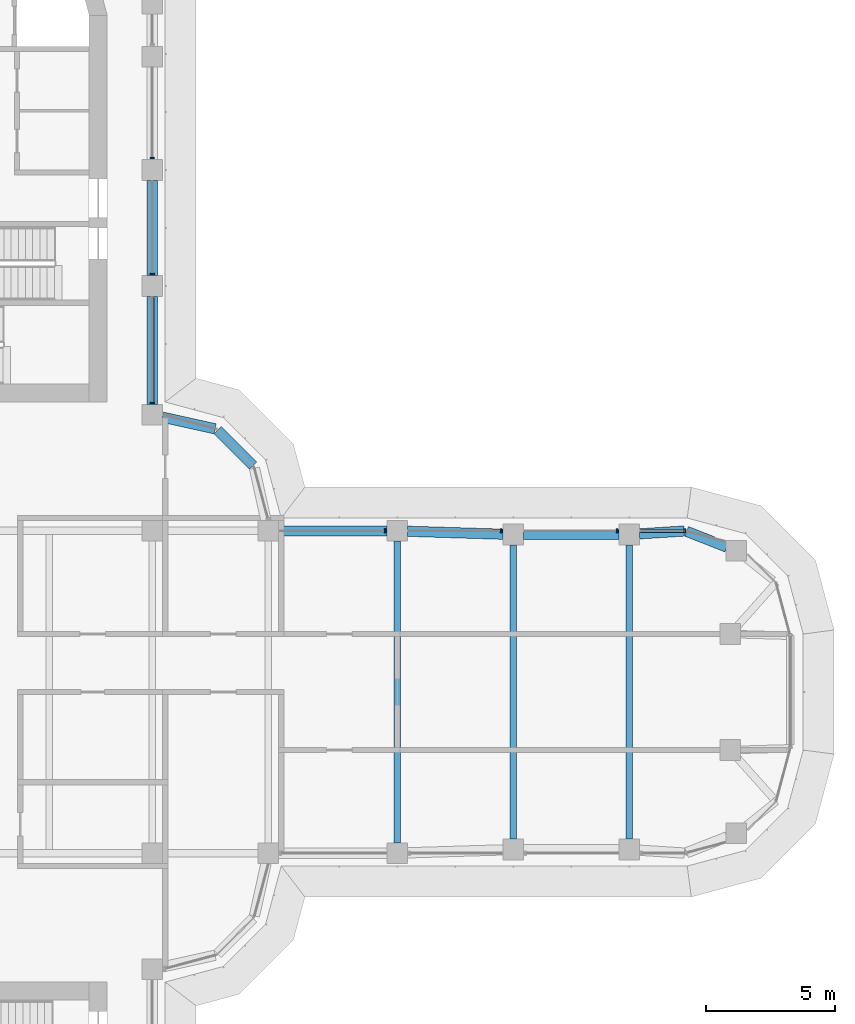
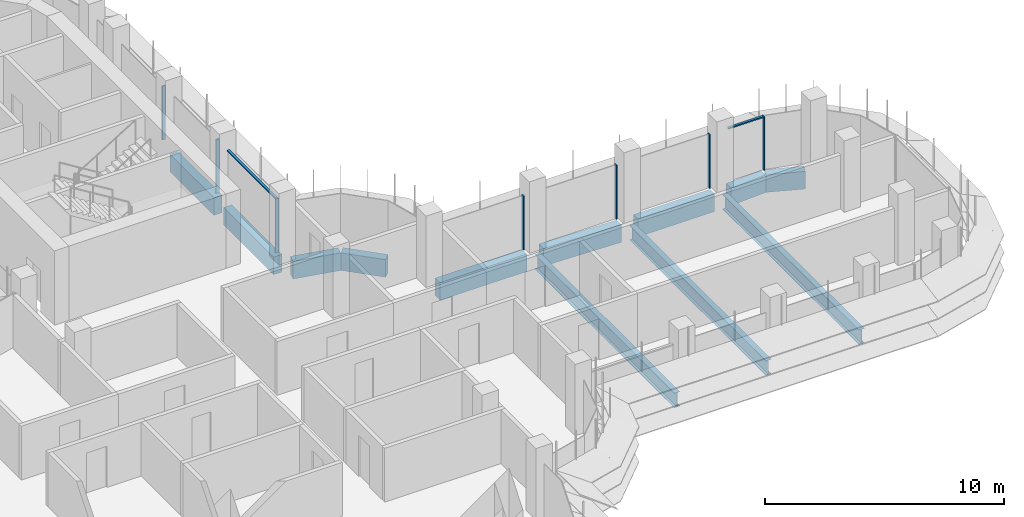
# One storey, part 8 of 19: 12 beams, 9 members, 2 elements without a shape of their own.
"""IFC4 building model written with IfcOpenShell, lengths in metres."""

from ifc_helpers import new_model, si_unit, direction, frame, origin, origin_2d, place, context, subcontext, project, spatial, polyline, rectangle, i_section, outline, extrude, source, transform, mapped, material, material_profile, profile_set, type_object, element, aggregate, save


model = new_model("IFC4")

# Units and contexts
model_context = context("Model", 3, precision=1e-05, world=origin(), true_north=direction((0.0, 1.0)))
body_context = subcontext(model_context, "Body", "Model", "MODEL_VIEW")
ifc_project = project(units=[si_unit("LENGTHUNIT", "METRE"), si_unit("AREAUNIT", "SQUARE_METRE"), si_unit("VOLUMEUNIT", "CUBIC_METRE"), si_unit("PLANEANGLEUNIT", "RADIAN"), si_unit("MASSUNIT", "GRAM", prefix="KILO")], contexts=[model_context])

# Site, building, storey
site_placement = place(None, origin())
site = spatial("IfcSite", under=ifc_project, at=site_placement, CompositionType="ELEMENT")
building_placement = place(site_placement, origin())
building = spatial("IfcBuilding", under=site, at=building_placement, Name="Zarbagh Exchange Tower", CompositionType="ELEMENT")
storey_placement = place(building_placement, frame((0.0, 0.0, 179.0)))
storey = spatial("IfcBuildingStorey", under=building, at=storey_placement, Name="L43", CompositionType="ELEMENT", Elevation=179.0)

# Beams
ifc_material_1 = material(Name="Steel ASTM A992 Gr 50", Category="steel")
ifc_material_profile_1 = material_profile(ifc_material_1, i_section(OverallWidth=0.26416015625, OverallDepth=0.749267578125, WebThickness=0.011962890625, FlangeThickness=0.015380859375, at=origin_2d()), Name="W30X90")
ifc_profile_set_1 = profile_set([ifc_material_profile_1], Name="Steel ASTM A992 Gr 50")
beam_type_1 = type_object("IfcBeamType", Name="Floor beam W30X90", PredefinedType="BEAM", material=ifc_profile_set_1)
beam_1_placement = place(storey_placement, frame((15.75, -5.85009765625, -0.524658203125), z_axis=(0.0, 1.0, 0.0), x_axis=(-1.0, 0.0, 0.0)))
element("IfcBeam", 1, at=beam_1_placement, inside=storey, type_object=beam_type_1, Name="Steel floor beam", PredefinedType="BEAM", context=body_context, shape_type="SweptSolid", body=[
    extrude(i_section(OverallWidth=0.26416015625, OverallDepth=0.749267578125, WebThickness=0.011962890625, FlangeThickness=0.015380859375, at=origin_2d()), origin(), (0.0, 0.0, 1.0), 11.7001953125),
])
for number, where, z_axis, x_axis, name in (
    (2, (20.25, -5.7099609375, -0.524658203125), (0.0, 1.0, 0.0), (-1.0, 0.0, 0.0), "Steel floor beam"),
    (3, (24.75, -5.7099609375, -0.524658203125), (0.0, 1.0, 0.0), (-1.0, 0.0, 0.0), "Steel floor beam"),
):
    element("IfcBeam", number, at=place(storey_placement, frame(where, z_axis=z_axis, x_axis=x_axis)), inside=storey, type_object=beam_type_1, Name=name, PredefinedType="BEAM", context=body_context, shape_type="SweptSolid", body=[
        extrude(i_section(OverallWidth=0.26416015625, OverallDepth=0.749267578125, WebThickness=0.011962890625, FlangeThickness=0.015380859375, at=origin_2d()), origin(), (0.0, 0.0, 1.0), 11.419921875),
    ])
ifc_material_2 = material(Name="Concrete C50/60", Category="concrete")
ifc_material_profile_2 = material_profile(ifc_material_2, rectangle(XDim=0.39990234375, YDim=0.89990234375, at=origin_2d()), Name="RC spandrel beam 400 x 900 C50/60")
ifc_profile_set_2 = profile_set([ifc_material_profile_2], Name="Concrete C50/60")
beam_type_2 = type_object("IfcBeamType", Name="RC spandrel beam 400 x 900 C50/60", PredefinedType="SPANDREL", material=ifc_profile_set_2)
beam_2_placement = place(storey_placement, frame((6.25, 19.85009765625, -0.60009765625), z_axis=(0.0, -1.0, 0.0), x_axis=(1.0, 0.0, 0.0)))
element("IfcBeam", 4, at=beam_2_placement, inside=storey, type_object=beam_type_2, Name="RC spandrel beam", PredefinedType="SPANDREL", context=body_context, shape_type="SweptSolid", body=[
    extrude(rectangle(XDim=0.39990234375, YDim=0.89990234375, at=origin_2d()), origin(), (0.0, 0.0, 1.0), 3.7001953125),
])
beam_3_placement = place(storey_placement, frame((6.25, 15.35009765625, -0.60009765625), z_axis=(0.0, -1.0, 0.0), x_axis=(1.0, 0.0, 0.0)))
element("IfcBeam", 5, at=beam_3_placement, inside=storey, type_object=beam_type_2, Name="RC spandrel beam", PredefinedType="SPANDREL", context=body_context, shape_type="SweptSolid", body=[
    extrude(rectangle(XDim=0.39990234375, YDim=0.89990234375, at=origin_2d()), origin(), (0.0, 0.0, 1.0), 4.2001953125),
])
beam_4_placement = place(storey_placement, frame((6.640625, 10.66357421875, -0.60009765625), z_axis=(0.976384278741, -0.216041061437, 0.0), x_axis=(0.216041061437, 0.976384278741, 0.0)))
element("IfcBeam", 6, at=beam_4_placement, inside=storey, type_object=beam_type_2, Name="RC spandrel beam", PredefinedType="SPANDREL", context=body_context, shape_type="SweptSolid", body=[
    extrude(rectangle(XDim=0.39990234375, YDim=0.89990234375, at=origin_2d()), origin(), (0.0, 0.0, 1.0), 2.0927734375),
])
beam_5_placement = place(storey_placement, frame((8.782470703125, 10.15771484375, -0.60009765625), z_axis=(0.707106781187, -0.707106781187, 0.0), x_axis=(0.707106781187, 0.707106781187, 0.0)))
element("IfcBeam", 7, at=beam_5_placement, inside=storey, type_object=beam_type_2, Name="RC spandrel beam", PredefinedType="SPANDREL", context=body_context, shape_type="SweptSolid", body=[
    extrude(rectangle(XDim=0.39990234375, YDim=0.89990234375, at=origin_2d()), origin(), (0.0, 0.0, 1.0), 1.94482421875),
])
beam_6_placement = place(storey_placement, frame((11.14990234375, 6.25, -0.60009765625), z_axis=(1.0, 0.0, 0.0), x_axis=(0.0, 1.0, 0.0)))
element("IfcBeam", 8, at=beam_6_placement, inside=storey, type_object=beam_type_2, Name="RC spandrel beam", PredefinedType="SPANDREL", context=body_context, shape_type="SweptSolid", body=[
    extrude(rectangle(XDim=0.39990234375, YDim=0.89990234375, at=origin_2d()), origin(), (0.0, 0.0, 1.0), 4.2001953125),
])
beam_7_placement = place(storey_placement, frame((16.14990234375, 6.237548828125, -0.60009765625), z_axis=(0.999515416033, -0.031127690444, 0.0), x_axis=(0.031127690444, 0.999515416033, 0.0)))
element("IfcBeam", 9, at=beam_7_placement, inside=storey, type_object=beam_type_2, Name="RC spandrel beam", PredefinedType="SPANDREL", context=body_context, shape_type="SweptSolid", body=[
    extrude(rectangle(XDim=0.39990234375, YDim=0.89990234375, at=origin_2d()), origin(), (0.0, 0.0, 1.0), 3.701904296875),
])
beam_8_placement = place(storey_placement, frame((20.64990234375, 6.110107421875, -0.60009765625), z_axis=(1.0, 0.0, 0.0), x_axis=(0.0, 1.0, 0.0)))
element("IfcBeam", 10, at=beam_8_placement, inside=storey, type_object=beam_type_2, Name="RC spandrel beam", PredefinedType="SPANDREL", context=body_context, shape_type="SweptSolid", body=[
    extrude(rectangle(XDim=0.39990234375, YDim=0.89990234375, at=origin_2d()), origin(), (0.0, 0.0, 1.0), 3.7001953125),
])
beam_9_placement = place(storey_placement, frame((25.149169921875, 6.135498046875, -0.60009765625), z_axis=(0.997942679773, 0.064112462805, 0.0), x_axis=(-0.064112462805, 0.997942679773, 0.0)))
element("IfcBeam", 11, at=beam_9_placement, inside=storey, type_object=beam_type_2, Name="RC spandrel beam", PredefinedType="SPANDREL", context=body_context, shape_type="SweptSolid", body=[
    extrude(rectangle(XDim=0.39990234375, YDim=0.89990234375, at=origin_2d()), origin(), (0.0, 0.0, 1.0), 1.744140625),
])
beam_10_placement = place(storey_placement, frame((26.9755859375, 6.233642578125, -0.60009765625), z_axis=(0.930818758612, -0.36548110569, 0.0), x_axis=(0.36548110569, 0.930818758612, 0.0)))
element("IfcBeam", 12, at=beam_10_placement, inside=storey, type_object=beam_type_2, Name="RC spandrel beam", PredefinedType="SPANDREL", context=body_context, shape_type="SweptSolid", body=[
    extrude(rectangle(XDim=0.39990234375, YDim=0.89990234375, at=origin_2d()), origin(), (0.0, 0.0, 1.0), 1.676025390625),
])

# Curtain wall, members
ifc_material_3 = material(Name="Anodised aluminium frame and glazing", Category="aluminium")
curtain_wall_type = type_object("IfcCurtainWallType", Name="CWB Ribbon glazing, upper zones", PredefinedType="NOTDEFINED", material=ifc_material_3)
curtain_wall_1_placement = place(storey_placement, origin())
curtain_wall_1 = element("IfcCurtainWall", 13, at=curtain_wall_1_placement, inside=storey, type_object=curtain_wall_type, Name="CWB16 curtain wall", PredefinedType="NOTDEFINED")
ifc_material_4 = material(Name="Anodised aluminium frame", Category="aluminium")
member_type_1 = type_object("IfcMemberType", Name="TRB Transom, anodised aluminium frame", PredefinedType="USERDEFINED", material=ifc_material_4)
shared_shape_1 = source(origin(), body_context, "Body", "SweptSolid", [
    extrude(outline(polyline([(-0.06005859375, -0.06005859375), (0.0, -0.06005859375), (0.0, 0.06005859375), (-0.06005859375, 0.06005859375), (-0.06005859375, -0.06005859375)])), origin(), (0.0, 0.0, 1.0), 1.68408203125),
])
placement = place(storey_placement, origin())
member_1 = element("IfcMember", 14, at=placement, type_object=member_type_1, Name="CWB16 transom 1.1", ObjectType="TRANSOM", PredefinedType="USERDEFINED", context=body_context, shape_type="MappedRepresentation", body=[
    mapped(shared_shape_1, transform((26.874267578125, 6.25, 2.75), x_axis=(0.0, 0.0, 1.0), y_axis=(0.0, 1.0, 0.0), z_axis=(-1.0, 0.0, 0.0))),
])
member_type_2 = type_object("IfcMemberType", Name="MUB Mullion, anodised aluminium frame", PredefinedType="MULLION", material=ifc_material_4)
shared_shape_2 = source(origin(), body_context, "Body", "SweptSolid", [
    extrude(outline(polyline([(0.0, -0.080078125), (0.06005859375, -0.080078125), (0.06005859375, 0.080078125), (0.0, 0.080078125), (0.0, -0.080078125)])), origin(), (0.0, 0.0, 1.0), 2.75),
])
member_2 = element("IfcMember", 15, at=placement, type_object=member_type_2, Name="CWB16 mullion 1.1", PredefinedType="MULLION", context=body_context, shape_type="MappedRepresentation", body=[
    mapped(shared_shape_2, transform((26.93408203125, 6.25, 0.0), x_axis=(-1.0, 0.0, 0.0), y_axis=(0.0, -1.0, 0.0), z_axis=(0.0, 0.0, 1.0))),
])
member_3 = element("IfcMember", 16, at=placement, type_object=member_type_2, Name="CWB16 mullion 2.1", PredefinedType="MULLION", context=body_context, shape_type="MappedRepresentation", body=[
    mapped(shared_shape_2, transform((24.31005859375, 6.25, 0.0), x_axis=(-1.0, 0.0, 0.0), y_axis=(0.0, -1.0, 0.0), z_axis=(0.0, 0.0, 1.0))),
])
member_4 = element("IfcMember", 17, at=placement, type_object=member_type_2, Name="CWB16 mullion 3.1", PredefinedType="MULLION", context=body_context, shape_type="MappedRepresentation", body=[
    mapped(shared_shape_2, transform((19.81005859375, 6.25, 0.0), x_axis=(-1.0, 0.0, 0.0), y_axis=(0.0, -1.0, 0.0), z_axis=(0.0, 0.0, 1.0))),
])
member_5 = element("IfcMember", 18, at=placement, type_object=member_type_2, Name="CWB16 mullion 4.1", PredefinedType="MULLION", context=body_context, shape_type="MappedRepresentation", body=[
    mapped(shared_shape_2, transform((15.31005859375, 6.25, 0.0), x_axis=(-1.0, 0.0, 0.0), y_axis=(0.0, -1.0, 0.0), z_axis=(0.0, 0.0, 1.0))),
])
aggregate(curtain_wall_1, [member_2, member_1, member_3, member_4, member_5])

curtain_wall_2_placement = place(storey_placement, origin())
curtain_wall_2 = element("IfcCurtainWall", 19, at=curtain_wall_2_placement, inside=storey, type_object=curtain_wall_type, Name="CWB20 curtain wall", PredefinedType="NOTDEFINED")
member_6 = element("IfcMember", 20, at=placement, type_object=member_type_2, Name="CWB20 mullion 1.1", PredefinedType="MULLION", context=body_context, shape_type="MappedRepresentation", body=[
    mapped(shared_shape_2, transform((6.25, 11.18994140625, 0.0), x_axis=(0.0, 1.0, 0.0), y_axis=(-1.0, 0.0, 0.0), z_axis=(0.0, 0.0, 1.0))),
])
member_7 = element("IfcMember", 21, at=placement, type_object=member_type_2, Name="CWB20 mullion 2.1", PredefinedType="MULLION", context=body_context, shape_type="MappedRepresentation", body=[
    mapped(shared_shape_2, transform((6.25, 16.18994140625, 0.0), x_axis=(0.0, 1.0, 0.0), y_axis=(-1.0, 0.0, 0.0), z_axis=(0.0, 0.0, 1.0))),
])
member_8 = element("IfcMember", 22, at=placement, type_object=member_type_2, Name="CWB20 mullion 3.1", PredefinedType="MULLION", context=body_context, shape_type="MappedRepresentation", body=[
    mapped(shared_shape_2, transform((6.25, 20.68994140625, 0.0), x_axis=(0.0, 1.0, 0.0), y_axis=(-1.0, 0.0, 0.0), z_axis=(0.0, 0.0, 1.0))),
])
shared_shape_3 = source(origin(), body_context, "Body", "SweptSolid", [
    extrude(outline(polyline([(-0.06005859375, -0.06005859375), (0.0, -0.06005859375), (0.0, 0.06005859375), (-0.06005859375, 0.06005859375), (-0.06005859375, -0.06005859375)])), origin(), (0.0, 0.0, 1.0), 4.06005859375),
])
member_9 = element("IfcMember", 23, at=placement, type_object=member_type_1, Name="CWB20 transom 1.1", ObjectType="TRANSOM", PredefinedType="USERDEFINED", context=body_context, shape_type="MappedRepresentation", body=[
    mapped(shared_shape_3, transform((6.25, 11.25, 2.75), x_axis=(0.0, 0.0, 1.0), y_axis=(1.0, 0.0, 0.0), z_axis=(0.0, 1.0, 0.0))),
])
aggregate(curtain_wall_2, [member_6, member_9, member_7, member_8])

save(model, "model.ifc")
